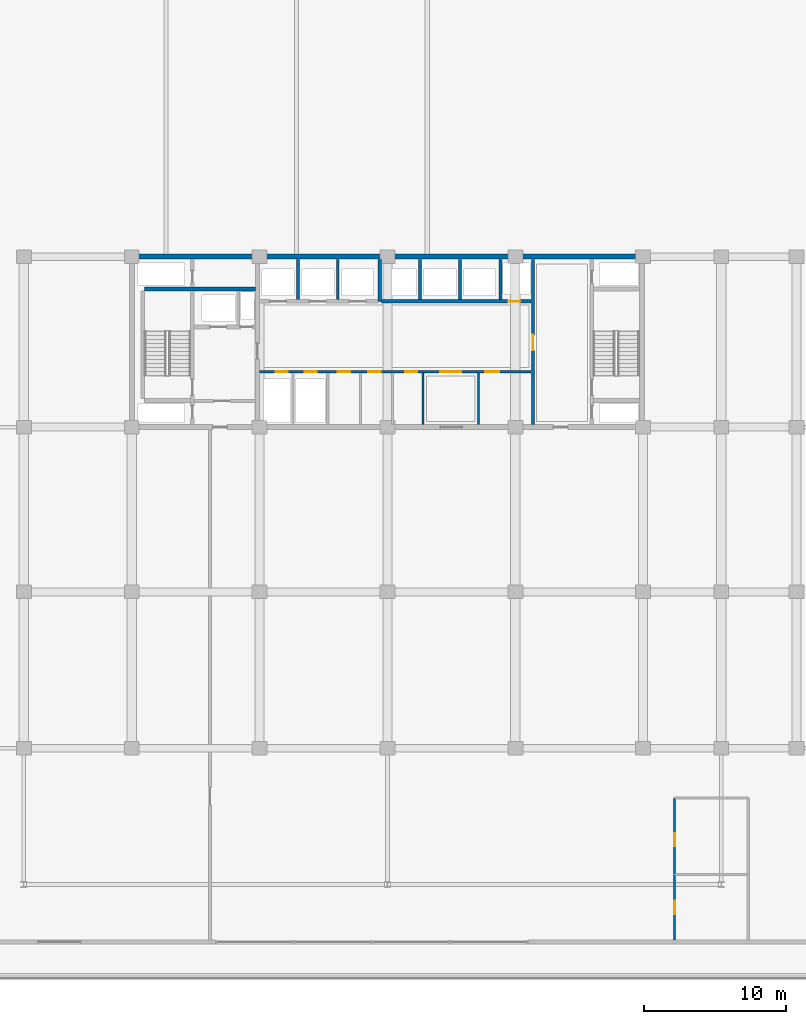
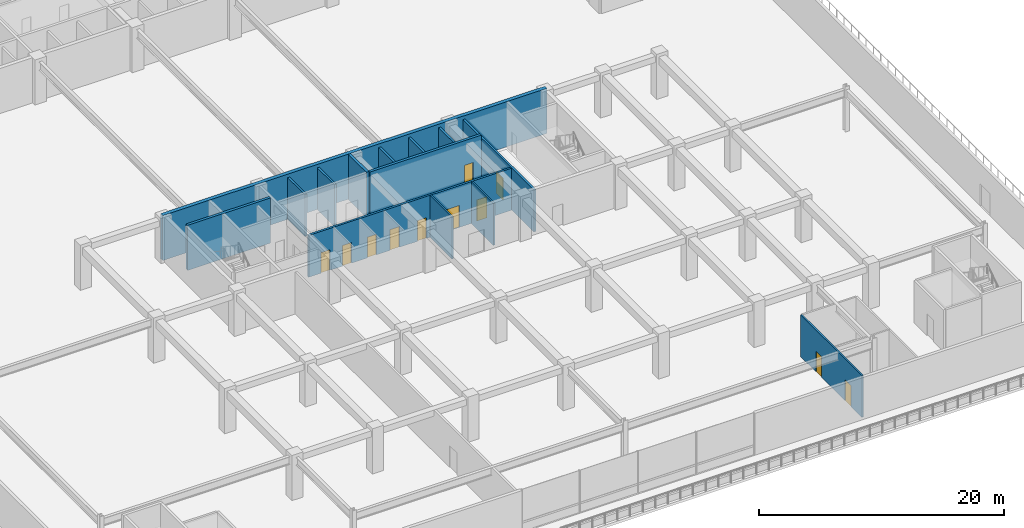
# One storey, part 22 of 40: 14 walls, 11 doors, 11 openings.
"""IFC4 building model written with IfcOpenShell, lengths in metres."""

import ifcopenshell
import ifcopenshell.guid

model = None  # the IFC model being written
_history = None  # IfcOwnerHistory: only IFC2X3 demands one
_inside = {}  # id of a spatial element -> (the spatial element, [elements in it])
_under = {}  # id of a project, library or spatial element -> (it, [spatial elements below it])
_declared = {}  # id of a project -> (the project, [libraries it declares])
_typed = {}  # id of a type object -> (the type object, [elements of that type])
_made_of = {}  # id of a material, layer set ... -> (it, [elements and type objects made of it])


def new_model(schema):
    """Start an empty IFC model of exactly this schema.

    Asked for "IFC4X3", IfcOpenShell would pick the latest addendum, in which some entities
    have other attributes; the version numbers below select the first issue.
    IFC2X3 requires an IfcOwnerHistory on every rooted entity: one is made here for all.
    """
    global model, _history
    if schema == "IFC4X3":
        model = ifcopenshell.file(schema_version=(4, 3, 0, 0))
    else:
        model = ifcopenshell.file(schema=schema)
    _inside.clear()
    _under.clear()
    _declared.clear()
    _typed.clear()
    _made_of.clear()
    _history = None
    if model.schema == "IFC2X3":
        org = make("IfcOrganization", Name="unknown")
        user = make(
            "IfcPersonAndOrganization",
            ThePerson=make("IfcPerson", FamilyName="unknown"),
            TheOrganization=org,
        )
        app = make(
            "IfcApplication",
            ApplicationDeveloper=org,
            Version="unknown",
            ApplicationFullName="unknown",
            ApplicationIdentifier="unknown",
        )
        _history = make(
            "IfcOwnerHistory",
            OwningUser=user,
            OwningApplication=app,
            ChangeAction="ADDED",
            CreationDate=0,
        )
    return model


def make(cls, **values):
    """One entity of the class cls with the attributes given. An attribute that is None is left unset."""
    return model.create_entity(
        cls, **{name: value for name, value in values.items() if value is not None}
    )


def rooted(cls, **values):
    """An entity with a GlobalId (a new one), such as an element, a storey or a relation."""
    return make(cls, GlobalId=ifcopenshell.guid.new(), OwnerHistory=_history, **values)


def si_unit(unit_type, name, prefix=None):
    """IfcSIUnit, for example si_unit("LENGTHUNIT", "METRE", prefix="MILLI")."""
    return make("IfcSIUnit", UnitType=unit_type, Prefix=prefix, Name=name)


def assignment(units):
    """IfcUnitAssignment: the units of a project."""
    return None if units is None else make("IfcUnitAssignment", Units=units)


def point(xyz):
    """IfcCartesianPoint."""
    return None if xyz is None else make("IfcCartesianPoint", Coordinates=xyz)


def direction(xyz):
    """IfcDirection."""
    return None if xyz is None else make("IfcDirection", DirectionRatios=xyz)


def frame(location, z_axis=None, x_axis=None):
    """IfcAxis2Placement3D, a coordinate frame: its origin and axes. An axis left out is left unset."""
    return make(
        "IfcAxis2Placement3D",
        Location=point(location),
        Axis=direction(z_axis),
        RefDirection=direction(x_axis),
    )


def frame_2d(location, x_axis=None):
    """IfcAxis2Placement2D, a coordinate frame in the plane: its origin and x axis."""
    return make(
        "IfcAxis2Placement2D", Location=point(location), RefDirection=direction(x_axis)
    )


def origin():
    """The frame at (0, 0, 0) with its axes left unset."""
    return frame((0.0, 0.0, 0.0))


def place(relative_to, where):
    """IfcLocalPlacement: puts the frame where relative to a parent placement (None: the world)."""
    return make(
        "IfcLocalPlacement", PlacementRelTo=relative_to, RelativePlacement=where
    )


def context(
    kind, dimensions, precision=None, world=None, true_north=None, identifier=None
):
    """IfcGeometricRepresentationContext, for example the 3D "Model" context."""
    return make(
        "IfcGeometricRepresentationContext",
        ContextIdentifier=identifier,
        ContextType=kind,
        CoordinateSpaceDimension=dimensions,
        Precision=precision,
        WorldCoordinateSystem=world,
        TrueNorth=true_north,
    )


def subcontext(parent, identifier, kind, view, scale=None):
    """IfcGeometricRepresentationSubContext, for example "Body" below "Model"."""
    return make(
        "IfcGeometricRepresentationSubContext",
        ContextIdentifier=identifier,
        ContextType=kind,
        ParentContext=parent,
        TargetScale=scale,
        TargetView=view,
    )


def project(units=None, contexts=None):
    """IfcProject with its units and contexts."""
    return rooted(
        "IfcProject",
        Name="project",
        RepresentationContexts=contexts,
        UnitsInContext=assignment(units),
    )


def spatial(cls, under=None, at=None, **own):
    """A site, building, storey or space (cls), placed at a placement, below another one or the project."""
    s = rooted(cls, ObjectPlacement=at, **own)
    if under is not None:
        _under.setdefault(under.id(), (under, []))[1].append(s)
    return s


def profile(cls, at=None, kind="AREA", **sizes):
    """A parametric profile (cls). Its sizes go by their IFC names, for example OverallWidth=200.0."""
    return make(cls, ProfileType=kind, Position=at, **sizes)


def rectangle(**sizes):
    """IfcRectangleProfileDef."""
    return profile("IfcRectangleProfileDef", **sizes)


def extrude(swept, where, along, depth):
    """IfcExtrudedAreaSolid: the profile swept, set in the frame where, extruded along a direction by depth."""
    return make(
        "IfcExtrudedAreaSolid",
        SweptArea=swept,
        Position=where,
        ExtrudedDirection=direction(along),
        Depth=depth,
    )


def shape(context_of_items, identifier, shape_type, items):
    """IfcShapeRepresentation: the items that make up one representation, for example the "Body"."""
    return make(
        "IfcShapeRepresentation",
        ContextOfItems=context_of_items,
        RepresentationIdentifier=identifier,
        RepresentationType=shape_type,
        Items=items,
    )


def material(Name=None, Category=None):
    """IfcMaterial."""
    return make("IfcMaterial", Name=Name, Category=Category)


def layer(
    of_material, thickness, ventilated=None, Name=None, Category=None, Priority=None
):
    """IfcMaterialLayer: one layer of a wall or slab, of a material (None: an air gap)."""
    return make(
        "IfcMaterialLayer",
        Material=of_material,
        LayerThickness=thickness,
        IsVentilated=ventilated,
        Name=Name,
        Category=Category,
        Priority=Priority,
    )


def layer_set(layers, Name=None):
    """IfcMaterialLayerSet."""
    return make("IfcMaterialLayerSet", MaterialLayers=layers, LayerSetName=Name)


def made_of(thing, what):
    """Note that an element or type object is made of a material, layer set ...; save() writes the relation."""
    if what is not None:
        _made_of.setdefault(what.id(), (what, []))[1].append(thing)
    return thing


def type_object(cls, material=None, **own):
    """A type object (cls), such as IfcWallType, which elements share."""
    return made_of(rooted(cls, **own), material)


def element(
    cls,
    number,
    at=None,
    inside=None,
    cuts=None,
    type_object=None,
    material=None,
    context=None,
    identifier="Body",
    shape_type=None,
    held_by="IfcProductDefinitionShape",
    body=None,
    shapes=None,
    **own,
):
    """One element of the class cls, such as IfcWall. Its Tag is "e" and its number.

    at: its placement. inside: the storey or other place that contains it. cuts: it is an
    opening in that element (IfcRelVoidsElement). A single representation is given by context,
    identifier, shape_type and body (its items); several are given by shapes. held_by: the class
    of the entity that holds the representations. save() writes the other relations.
    """
    e = rooted(cls, Tag="e%d" % number, ObjectPlacement=at, **own)
    if body is not None:
        shapes = [shape(context, identifier, shape_type, body)]
    if shapes is not None:
        e.Representation = make(held_by, Representations=shapes)
    if inside is not None:
        _inside.setdefault(inside.id(), (inside, []))[1].append(e)
    if cuts is not None:
        rooted(
            "IfcRelVoidsElement", RelatingBuildingElement=cuts, RelatedOpeningElement=e
        )
    if type_object is not None:
        _typed.setdefault(type_object.id(), (type_object, []))[1].append(e)
    return made_of(e, material)


def fill(opening, filler):
    """IfcRelFillsElement: the door or window that sits in an opening."""
    return rooted(
        "IfcRelFillsElement",
        RelatingOpeningElement=opening,
        RelatedBuildingElement=filler,
    )


def aggregate(whole, parts):
    """IfcRelAggregates: a whole, such as a stair, and the parts it consists of."""
    return rooted("IfcRelAggregates", RelatingObject=whole, RelatedObjects=parts)


def save(model, path):
    """Write the relations noted so far, then the file.

    IfcRelAggregates (storeys below a building ...), IfcRelContainedInSpatialStructure (elements
    in a storey), IfcRelDefinesByType, IfcRelAssociatesMaterial and IfcRelDeclares: one each for
    every whole, place, type object, material and project.
    """
    for whole, parts in _under.values():
        aggregate(whole, parts)
    for where, things in _inside.values():
        rooted(
            "IfcRelContainedInSpatialStructure",
            RelatedElements=things,
            RelatingStructure=where,
        )
    for kind, things in _typed.values():
        rooted("IfcRelDefinesByType", RelatedObjects=things, RelatingType=kind)
    for what, things in _made_of.values():
        rooted("IfcRelAssociatesMaterial", RelatedObjects=things, RelatingMaterial=what)
    for by, libraries in _declared.values():
        rooted("IfcRelDeclares", RelatingContext=by, RelatedDefinitions=libraries)
    model.write(path)


model = new_model("IFC4")

# Units and contexts
model_context = context("Model", 3, precision=1e-05, world=origin(), true_north=direction((0.0, 1.0)))
body_context = subcontext(model_context, "Body", "Model", "MODEL_VIEW")
ifc_project = project(units=[si_unit("LENGTHUNIT", "METRE"), si_unit("AREAUNIT", "SQUARE_METRE"), si_unit("VOLUMEUNIT", "CUBIC_METRE"), si_unit("PLANEANGLEUNIT", "RADIAN"), si_unit("MASSUNIT", "GRAM", prefix="KILO")], contexts=[model_context])

# Site, building, storey
site_placement = place(None, origin())
site = spatial("IfcSite", under=ifc_project, at=site_placement, CompositionType="ELEMENT")
building_placement = place(site_placement, origin())
building = spatial("IfcBuilding", under=site, at=building_placement, Name="Korimba Cascade Residences", CompositionType="ELEMENT")
storey_placement = place(building_placement, frame((0.0, 0.0, 14.5)))
storey = spatial("IfcBuildingStorey", under=building, at=storey_placement, Name="L03", CompositionType="ELEMENT", Elevation=14.5)

# Walls
ifc_material_1 = material(Name="Concrete C65/80", Category="concrete")
ifc_layer_1 = layer(ifc_material_1, 0.35009765625)
ifc_layer_set_1 = layer_set([ifc_layer_1], Name="Concrete C65/80")
wall_type_1 = type_object("IfcWallType", Name="WAL-CORE-350", PredefinedType="SHEAR", material=ifc_layer_set_1)
wall_1_placement = place(storey_placement, frame((81.925048828125, 30.39990234375, 0.0), z_axis=(0.0, 0.0, 1.0), x_axis=(1.0, 0.0, 0.0)))
element("IfcWall", 1, at=wall_1_placement, inside=storey, type_object=wall_type_1, Name="L03 Core Shear Wall CW-L03-T2-N", PredefinedType="SHEAR", context=body_context, shape_type="SweptSolid", body=[
    extrude(rectangle(XDim=36.264892578125, YDim=0.35009765625, at=frame_2d((18.13232421875, 0.0))), origin(), (0.0, 0.0, 1.0), 4.5),
])
ifc_material_2 = material(Name="Insulated Acoustic Stud Partition", Category="gypsum")
ifc_layer_2 = layer(ifc_material_2, 0.14990234375)
ifc_layer_set_2 = layer_set([ifc_layer_2], Name="Insulated Acoustic Stud Partition")
wall_type_2 = type_object("IfcWallType", Name="WAL-PART-150", PredefinedType="PARTITIONING", material=ifc_layer_set_2)
for number, where, z_axis, x_axis, name in (
    (2, (102.60009765625, 18.60009765625, 0.0), (0.0, 0.0, 1.0), (0.0, 1.0, 0.0), "L03 Partition Wall CW-L03-T2-THW"),
    (3, (106.5, 18.60009765625, 0.0), (0.0, 0.0, 1.0), (0.0, 1.0, 0.0), "L03 Partition Wall CW-L03-T2-THE"),
):
    element("IfcWall", number, at=place(storey_placement, frame(where, z_axis=z_axis, x_axis=x_axis)), inside=storey, type_object=wall_type_2, Name=name, PredefinedType="PARTITIONING", context=body_context, shape_type="SweptSolid", body=[
        extrude(rectangle(XDim=3.599853515625, YDim=0.14990234375, at=frame_2d((1.7998046875, 0.0))), origin(), (0.0, 0.0, 1.0), 4.179931640625),
    ])

# Wall, openings, doors
wall_2_placement = place(storey_placement, frame((120.320068359375, -17.699951171875, 0.0), z_axis=(0.0, 0.0, 1.0), x_axis=(0.0, 1.0, 0.0)))
wall_2 = element("IfcWall", 4, at=wall_2_placement, inside=storey, type_object=wall_type_2, Name="L03 Partition Wall WAL-L03-WCW", PredefinedType="PARTITIONING", context=body_context, shape_type="SweptSolid", body=[
    extrude(rectangle(XDim=10.0, YDim=0.14990234375, at=frame_2d((5.0, 0.0))), origin(), (0.0, 0.0, 1.0), 4.179931640625),
])
opening_1_placement = place(wall_2_placement, frame((1.800048828125, 0.0, 0.0)))
opening_1 = element("IfcOpeningElement", 5, at=opening_1_placement, cuts=wall_2, Name="Opening D-AC1", PredefinedType="OPENING", context=body_context, shape_type="SweptSolid", body=[
    extrude(rectangle(XDim=0.9599609375, YDim=2.10009765625, at=frame_2d((0.47998046875, 1.050048828125))), frame((0.0, 0.0849609375, 0.0), z_axis=(0.0, -1.0, 0.0), x_axis=(1.0, 0.0, 0.0)), (0.0, 0.0, 1.0), 0.169921875),
])
opening_2_placement = place(wall_2_placement, frame((6.60009765625, 0.0, 0.0)))
opening_2 = element("IfcOpeningElement", 6, at=opening_2_placement, cuts=wall_2, Name="Opening D-IN1", PredefinedType="OPENING", context=body_context, shape_type="SweptSolid", body=[
    extrude(rectangle(XDim=0.919921875, YDim=2.080078125, at=frame_2d((0.4599609375, 1.0400390625))), frame((0.0, 0.0849609375, 0.0), z_axis=(0.0, -1.0, 0.0), x_axis=(1.0, 0.0, 0.0)), (0.0, 0.0, 1.0), 0.169921875),
])
ifc_material_3 = material(Name="Accessible Acoustic Timber WC Door", Category="wood")
door_type_1 = type_object("IfcDoorType", Name="DR-ACC-950", OperationType="NOTDEFINED", PredefinedType="DOOR", material=ifc_material_3)
door_1_placement = place(opening_1_placement, origin())
door_1 = element("IfcDoor", 7, at=door_1_placement, inside=storey, type_object=door_type_1, Name="L03 Accessible WC Door", OperationType="SINGLE_SWING_RIGHT", OverallHeight=2.10009765625, OverallWidth=0.9599609375, PredefinedType="DOOR", context=body_context, shape_type="SweptSolid", body=[
    extrude(rectangle(XDim=0.9599609375, YDim=2.10009765625, at=frame_2d((0.47998046875, 1.050048828125))), frame((0.0, 0.02490234375, 0.0), z_axis=(0.0, -1.0, 0.0), x_axis=(1.0, 0.0, 0.0)), (0.0, 0.0, 1.0), 0.050048828125),
])
fill(opening_1, door_1)
ifc_material_4 = material(Name="Acoustic Timber Living Door", Category="wood")
door_type_2 = type_object("IfcDoorType", Name="DR-INT-920", OperationType="NOTDEFINED", PredefinedType="DOOR", material=ifc_material_4)
door_2_placement = place(opening_2_placement, origin())
door_2 = element("IfcDoor", 8, at=door_2_placement, inside=storey, type_object=door_type_2, Name="L03 Restroom Door", OperationType="SINGLE_SWING_LEFT", OverallHeight=2.080078125, OverallWidth=0.919921875, PredefinedType="DOOR", context=body_context, shape_type="SweptSolid", body=[
    extrude(rectangle(XDim=0.919921875, YDim=2.080078125, at=frame_2d((0.4599609375, 1.0400390625))), frame((0.0, 0.02490234375, 0.0), z_axis=(0.0, -1.0, 0.0), x_axis=(1.0, 0.0, 0.0)), (0.0, 0.0, 1.0), 0.050048828125),
])
fill(opening_2, door_2)

# Walls
ifc_material_5 = material(Name="Concrete C40/50", Category="concrete")
ifc_layer_3 = layer(ifc_material_5, 0.199951171875)
ifc_layer_set_3 = layer_set([ifc_layer_3], Name="Concrete C40/50")
wall_type_3 = type_object("IfcWallType", Name="WAL-PART-200", PredefinedType="PARTITIONING", material=ifc_layer_set_3)
for number, where, z_axis, x_axis, name in (
    (9, (93.800048828125, 27.3798828125, 0.0), (0.0, 0.0, 1.0), (0.0, 1.0, 0.0), "L03 Partition Wall CW-L03-T2-B1D1"),
    (10, (96.60009765625, 27.3798828125, 0.0), (0.0, 0.0, 1.0), (0.0, 1.0, 0.0), "L03 Partition Wall CW-L03-T2-B1D2"),
    (11, (102.39990234375, 27.3798828125, 0.0), (0.0, 0.0, 1.0), (0.0, 1.0, 0.0), "L03 Partition Wall CW-L03-T2-B2D1"),
    (12, (105.199951171875, 27.3798828125, 0.0), (0.0, 0.0, 1.0), (0.0, 1.0, 0.0), "L03 Partition Wall CW-L03-T2-B2D2"),
    (13, (108.050048828125, 27.3798828125, 0.0), (0.0, 0.0, 1.0), (0.0, 1.0, 0.0), "L03 Partition Wall CW-L03-T2-B2D3"),
):
    element("IfcWall", number, at=place(storey_placement, frame(where, z_axis=z_axis, x_axis=x_axis)), inside=storey, type_object=wall_type_3, Name=name, PredefinedType="PARTITIONING", context=body_context, shape_type="SweptSolid", body=[
        extrude(rectangle(XDim=2.820068359375, YDim=0.199951171875, at=frame_2d((1.41015625, 0.0))), origin(), (0.0, 0.0, 1.0), 4.179931640625),
    ])

# Wall, openings, doors
wall_3_placement = place(storey_placement, frame((91.080078125, 22.300048828125, 0.0), z_axis=(0.0, 0.0, 1.0), x_axis=(1.0, 0.0, 0.0)))
wall_3 = element("IfcWall", 14, at=wall_3_placement, inside=storey, type_object=wall_type_3, Name="L03 Partition Wall CW-L03-T2-SRVROW", PredefinedType="PARTITIONING", context=body_context, shape_type="SweptSolid", body=[
    extrude(rectangle(XDim=19.139892578125, YDim=0.199951171875, at=frame_2d((9.56982421875, 0.0))), origin(), (0.0, 0.0, 1.0), 4.179931640625),
])
opening_3_placement = place(wall_3_placement, frame((1.14990234375, 0.0, 0.0)))
opening_3 = element("IfcOpeningElement", 15, at=opening_3_placement, cuts=wall_3, Name="Opening D-RS1", PredefinedType="OPENING", context=body_context, shape_type="SweptSolid", body=[
    extrude(rectangle(XDim=0.85009765625, YDim=2.050048828125, at=frame_2d((0.425048828125, 1.02490234375))), frame((0.0, 0.10986328125, 0.0), z_axis=(0.0, -1.0, 0.0), x_axis=(1.0, 0.0, 0.0)), (0.0, 0.0, 1.0), 0.219970703125),
])
opening_4_placement = place(wall_3_placement, frame((3.199951171875, 0.0, 0.0)))
opening_4 = element("IfcOpeningElement", 16, at=opening_4_placement, cuts=wall_3, Name="Opening D-RS1", PredefinedType="OPENING", context=body_context, shape_type="SweptSolid", body=[
    extrude(rectangle(XDim=0.85009765625, YDim=2.050048828125, at=frame_2d((0.425048828125, 1.02490234375))), frame((0.0, 0.10986328125, 0.0), z_axis=(0.0, -1.0, 0.0), x_axis=(1.0, 0.0, 0.0)), (0.0, 0.0, 1.0), 0.219970703125),
])
opening_5_placement = place(wall_3_placement, frame((12.719970703125, 0.0, 0.0)))
opening_5 = element("IfcOpeningElement", 17, at=opening_5_placement, cuts=wall_3, Name="Opening D-FD8", PredefinedType="OPENING", context=body_context, shape_type="SweptSolid", body=[
    extrude(rectangle(XDim=1.5, YDim=2.199951171875, at=frame_2d((0.75, 1.10009765625))), frame((0.0, 0.10986328125, 0.0), z_axis=(0.0, -1.0, 0.0), x_axis=(1.0, 0.0, 0.0)), (0.0, 0.0, 1.0), 0.219970703125),
])
opening_6_placement = place(wall_3_placement, frame((5.52001953125, 0.0, 0.0)))
opening_6 = element("IfcOpeningElement", 18, at=opening_6_placement, cuts=wall_3, Name="Opening D-IN2", PredefinedType="OPENING", context=body_context, shape_type="SweptSolid", body=[
    extrude(rectangle(XDim=0.8798828125, YDim=2.06005859375, at=frame_2d((0.43994140625, 1.030029296875))), frame((0.0, 0.10986328125, 0.0), z_axis=(0.0, -1.0, 0.0), x_axis=(1.0, 0.0, 0.0)), (0.0, 0.0, 1.0), 0.219970703125),
])
opening_7_placement = place(wall_3_placement, frame((7.669921875, 0.0, 0.0)))
opening_7 = element("IfcOpeningElement", 19, at=opening_7_placement, cuts=wall_3, Name="Opening D-IN2", PredefinedType="OPENING", context=body_context, shape_type="SweptSolid", body=[
    extrude(rectangle(XDim=0.8798828125, YDim=2.06005859375, at=frame_2d((0.43994140625, 1.030029296875))), frame((0.0, 0.10986328125, 0.0), z_axis=(0.0, -1.0, 0.0), x_axis=(1.0, 0.0, 0.0)), (0.0, 0.0, 1.0), 0.219970703125),
])
opening_8_placement = place(wall_3_placement, frame((10.27001953125, 0.0, 0.0)))
opening_8 = element("IfcOpeningElement", 20, at=opening_8_placement, cuts=wall_3, Name="Opening D-RS1", PredefinedType="OPENING", context=body_context, shape_type="SweptSolid", body=[
    extrude(rectangle(XDim=0.85009765625, YDim=2.050048828125, at=frame_2d((0.425048828125, 1.02490234375))), frame((0.0, 0.10986328125, 0.0), z_axis=(0.0, -1.0, 0.0), x_axis=(1.0, 0.0, 0.0)), (0.0, 0.0, 1.0), 0.219970703125),
])
opening_9_placement = place(wall_3_placement, frame((15.919921875, 0.0, 0.0)))
opening_9 = element("IfcOpeningElement", 21, at=opening_9_placement, cuts=wall_3, Name="Opening D-AC1", PredefinedType="OPENING", context=body_context, shape_type="SweptSolid", body=[
    extrude(rectangle(XDim=0.9599609375, YDim=2.10009765625, at=frame_2d((0.47998046875, 1.050048828125))), frame((0.0, 0.10986328125, 0.0), z_axis=(0.0, -1.0, 0.0), x_axis=(1.0, 0.0, 0.0)), (0.0, 0.0, 1.0), 0.219970703125),
])
door_3_placement = place(opening_9_placement, origin())
door_3 = element("IfcDoor", 22, at=door_3_placement, inside=storey, type_object=door_type_1, Name="L03 T2 Accessible Staff WC Door", OperationType="SINGLE_SWING_RIGHT", OverallHeight=2.10009765625, OverallWidth=0.9599609375, PredefinedType="DOOR", context=body_context, shape_type="SweptSolid", body=[
    extrude(rectangle(XDim=0.9599609375, YDim=2.10009765625, at=frame_2d((0.47998046875, 1.050048828125))), frame((0.0, 0.02490234375, 0.0), z_axis=(0.0, -1.0, 0.0), x_axis=(1.0, 0.0, 0.0)), (0.0, 0.0, 1.0), 0.050048828125),
])
fill(opening_9, door_3)
ifc_material_6 = material(Name="Fire-Rated Steel Riser Access Door", Category="steel")
door_type_3 = type_object("IfcDoorType", Name="DR-FD60-850", OperationType="NOTDEFINED", PredefinedType="DOOR", material=ifc_material_6)
door_4_placement = place(opening_3_placement, origin())
door_4 = element("IfcDoor", 23, at=door_4_placement, inside=storey, type_object=door_type_3, Name="L03 T2 Electrical Riser Door", OperationType="SINGLE_SWING_LEFT", OverallHeight=2.050048828125, OverallWidth=0.85009765625, PredefinedType="DOOR", context=body_context, shape_type="SweptSolid", body=[
    extrude(rectangle(XDim=0.85009765625, YDim=2.050048828125, at=frame_2d((0.425048828125, 1.02490234375))), frame((0.0, 0.02490234375, 0.0), z_axis=(0.0, -1.0, 0.0), x_axis=(1.0, 0.0, 0.0)), (0.0, 0.0, 1.0), 0.050048828125),
])
fill(opening_3, door_4)
door_5_placement = place(opening_4_placement, origin())
door_5 = element("IfcDoor", 24, at=door_5_placement, inside=storey, type_object=door_type_3, Name="L03 T2 Plumbing Riser Door", OperationType="SINGLE_SWING_RIGHT", OverallHeight=2.050048828125, OverallWidth=0.85009765625, PredefinedType="DOOR", context=body_context, shape_type="SweptSolid", body=[
    extrude(rectangle(XDim=0.85009765625, YDim=2.050048828125, at=frame_2d((0.425048828125, 1.02490234375))), frame((0.0, 0.02490234375, 0.0), z_axis=(0.0, -1.0, 0.0), x_axis=(1.0, 0.0, 0.0)), (0.0, 0.0, 1.0), 0.050048828125),
])
fill(opening_4, door_5)
door_6_placement = place(opening_8_placement, origin())
door_6 = element("IfcDoor", 25, at=door_6_placement, inside=storey, type_object=door_type_3, Name="L03 T2 IT Room Door", OperationType="SINGLE_SWING_LEFT", OverallHeight=2.050048828125, OverallWidth=0.85009765625, PredefinedType="DOOR", context=body_context, shape_type="SweptSolid", body=[
    extrude(rectangle(XDim=0.85009765625, YDim=2.050048828125, at=frame_2d((0.425048828125, 1.02490234375))), frame((0.0, 0.02490234375, 0.0), z_axis=(0.0, -1.0, 0.0), x_axis=(1.0, 0.0, 0.0)), (0.0, 0.0, 1.0), 0.050048828125),
])
fill(opening_8, door_6)
ifc_material_7 = material(Name="Fire-Rated Glazed Lift Lobby Double Door", Category="glass")
door_type_4 = type_object("IfcDoorType", Name="DR-FD90-1500", OperationType="NOTDEFINED", PredefinedType="DOOR", material=ifc_material_7)
door_7_placement = place(opening_5_placement, origin())
door_7 = element("IfcDoor", 26, at=door_7_placement, inside=storey, type_object=door_type_4, Name="L03 T2 Lift Lobby Foyer Door", OperationType="DOUBLE_DOOR_SINGLE_SWING", OverallHeight=2.199951171875, OverallWidth=1.5, PredefinedType="DOOR", context=body_context, shape_type="SweptSolid", body=[
    extrude(rectangle(XDim=1.5, YDim=2.199951171875, at=frame_2d((0.75, 1.10009765625))), frame((0.0, 0.02490234375, 0.0), z_axis=(0.0, -1.0, 0.0), x_axis=(1.0, 0.0, 0.0)), (0.0, 0.0, 1.0), 0.050048828125),
])
fill(opening_5, door_7)
ifc_material_8 = material(Name="Acoustic Timber Bedroom Door", Category="wood")
door_type_5 = type_object("IfcDoorType", Name="DR-INT-880", OperationType="NOTDEFINED", PredefinedType="DOOR", material=ifc_material_8)
door_8_placement = place(opening_6_placement, origin())
door_8 = element("IfcDoor", 27, at=door_8_placement, inside=storey, type_object=door_type_5, Name="L03 T2 Cleaners Door", OperationType="SINGLE_SWING_LEFT", OverallHeight=2.06005859375, OverallWidth=0.8798828125, PredefinedType="DOOR", context=body_context, shape_type="SweptSolid", body=[
    extrude(rectangle(XDim=0.8798828125, YDim=2.06005859375, at=frame_2d((0.43994140625, 1.030029296875))), frame((0.0, 0.02490234375, 0.0), z_axis=(0.0, -1.0, 0.0), x_axis=(1.0, 0.0, 0.0)), (0.0, 0.0, 1.0), 0.050048828125),
])
fill(opening_6, door_8)
door_9_placement = place(opening_7_placement, origin())
door_9 = element("IfcDoor", 28, at=door_9_placement, inside=storey, type_object=door_type_5, Name="L03 T2 Pantry Door", OperationType="SINGLE_SWING_RIGHT", OverallHeight=2.06005859375, OverallWidth=0.8798828125, PredefinedType="DOOR", context=body_context, shape_type="SweptSolid", body=[
    extrude(rectangle(XDim=0.8798828125, YDim=2.06005859375, at=frame_2d((0.43994140625, 1.030029296875))), frame((0.0, 0.02490234375, 0.0), z_axis=(0.0, -1.0, 0.0), x_axis=(1.0, 0.0, 0.0)), (0.0, 0.0, 1.0), 0.050048828125),
])
fill(opening_7, door_9)

# Wall, opening, door
wall_4_placement = place(storey_placement, frame((110.35009765625, 18.60009765625, 0.0), z_axis=(0.0, 0.0, 1.0), x_axis=(0.0, 1.0, 0.0)))
wall_4 = element("IfcWall", 29, at=wall_4_placement, inside=storey, type_object=wall_type_3, Name="L03 Partition Wall CW-L03-T2-LLEV", PredefinedType="PARTITIONING", context=body_context, shape_type="SweptSolid", body=[
    extrude(rectangle(XDim=11.599853515625, YDim=0.199951171875, at=frame_2d((5.7998046875, 0.0))), origin(), (0.0, 0.0, 1.0), 4.179931640625),
])
opening_10_placement = place(wall_4_placement, frame((5.199951171875, 0.0, 0.0)))
opening_10 = element("IfcOpeningElement", 30, at=opening_10_placement, cuts=wall_4, Name="Opening D-FD6", PredefinedType="OPENING", context=body_context, shape_type="SweptSolid", body=[
    extrude(rectangle(XDim=1.10009765625, YDim=2.14990234375, at=frame_2d((0.550048828125, 1.074951171875))), frame((0.0, 0.10986328125, 0.0), z_axis=(0.0, -1.0, 0.0), x_axis=(1.0, 0.0, 0.0)), (0.0, 0.0, 1.0), 0.219970703125),
])
ifc_material_9 = material(Name="Fire-Rated Timber Stair Lobby Door", Category="wood")
door_type_6 = type_object("IfcDoorType", Name="DR-FD90-1100", OperationType="NOTDEFINED", PredefinedType="DOOR", material=ifc_material_9)
door_10_placement = place(opening_10_placement, origin())
door_10 = element("IfcDoor", 31, at=door_10_placement, inside=storey, type_object=door_type_6, Name="L03 T2 Lift Lobby to East Stair Lobby Door", OperationType="SINGLE_SWING_LEFT", OverallHeight=2.14990234375, OverallWidth=1.10009765625, PredefinedType="DOOR", context=body_context, shape_type="SweptSolid", body=[
    extrude(rectangle(XDim=1.10009765625, YDim=2.14990234375, at=frame_2d((0.550048828125, 1.074951171875))), frame((0.0, 0.02490234375, 0.0), z_axis=(0.0, -1.0, 0.0), x_axis=(1.0, 0.0, 0.0)), (0.0, 0.0, 1.0), 0.050048828125),
])
fill(opening_10, door_10)

# Walls
ifc_material_10 = material(Name="Concrete C50/60", Category="concrete")
ifc_layer_4 = layer(ifc_material_10, 0.25)
ifc_layer_set_4 = layer_set([ifc_layer_4], Name="Concrete C50/60")
wall_type_4 = type_object("IfcWallType", Name="WAL-SHAFT-250", PredefinedType="SHEAR", material=ifc_layer_set_4)
wall_5_placement = place(storey_placement, frame((83.0, 28.125, 0.0), z_axis=(0.0, 0.0, 1.0), x_axis=(1.0, 0.0, 0.0)))
element("IfcWall", 32, at=wall_5_placement, inside=storey, type_object=wall_type_4, Name="L03 Core Shear Wall CW-L03-T2-STE1N", PredefinedType="SHEAR", context=body_context, shape_type="SweptSolid", body=[
    extrude(rectangle(XDim=7.820068359375, YDim=0.25, at=frame_2d((3.91015625, 0.0))), origin(), (0.0, 0.0, 1.0), 4.5),
])
wall_6_placement = place(storey_placement, frame((99.550048828125, 27.25, 0.0), z_axis=(0.0, 0.0, 1.0), x_axis=(0.0, 1.0, 0.0)))
element("IfcWall", 33, at=wall_6_placement, inside=storey, type_object=wall_type_4, Name="L03 Core Shear Wall CW-L03-T2-B12DIV", PredefinedType="SHEAR", context=body_context, shape_type="SweptSolid", body=[
    extrude(rectangle(XDim=2.949951171875, YDim=0.25, at=frame_2d((1.47509765625, 0.0))), origin(), (0.0, 0.0, 1.0), 4.5),
])

# Wall, opening, door
wall_7_placement = place(storey_placement, frame((99.679931640625, 27.25, 0.0), z_axis=(0.0, 0.0, 1.0), x_axis=(1.0, 0.0, 0.0)))
wall_7 = element("IfcWall", 34, at=wall_7_placement, inside=storey, type_object=wall_type_4, Name="L03 Core Shear Wall CW-L03-T2-B2S", PredefinedType="SHEAR", context=body_context, shape_type="SweptSolid", body=[
    extrude(rectangle(XDim=10.5400390625, YDim=0.25, at=frame_2d((5.27001953125, 0.0))), origin(), (0.0, 0.0, 1.0), 4.5),
])
opening_11_placement = place(wall_7_placement, frame((8.919921875, 0.0, 0.0)))
opening_11 = element("IfcOpeningElement", 35, at=opening_11_placement, cuts=wall_7, Name="Opening D-RS1", PredefinedType="OPENING", context=body_context, shape_type="SweptSolid", body=[
    extrude(rectangle(XDim=0.85009765625, YDim=2.050048828125, at=frame_2d((0.425048828125, 1.02490234375))), frame((0.0, 0.135009765625, 0.0), z_axis=(0.0, -1.0, 0.0), x_axis=(1.0, 0.0, 0.0)), (0.0, 0.0, 1.0), 0.27001953125),
])
door_11_placement = place(opening_11_placement, origin())
door_11 = element("IfcDoor", 36, at=door_11_placement, inside=storey, type_object=door_type_3, Name="L03 T2 Duct Door", OperationType="SINGLE_SWING_RIGHT", OverallHeight=2.050048828125, OverallWidth=0.85009765625, PredefinedType="DOOR", context=body_context, shape_type="SweptSolid", body=[
    extrude(rectangle(XDim=0.85009765625, YDim=2.050048828125, at=frame_2d((0.425048828125, 1.02490234375))), frame((0.0, 0.02490234375, 0.0), z_axis=(0.0, -1.0, 0.0), x_axis=(1.0, 0.0, 0.0)), (0.0, 0.0, 1.0), 0.050048828125),
])
fill(opening_11, door_11)

save(model, "model.ifc")
